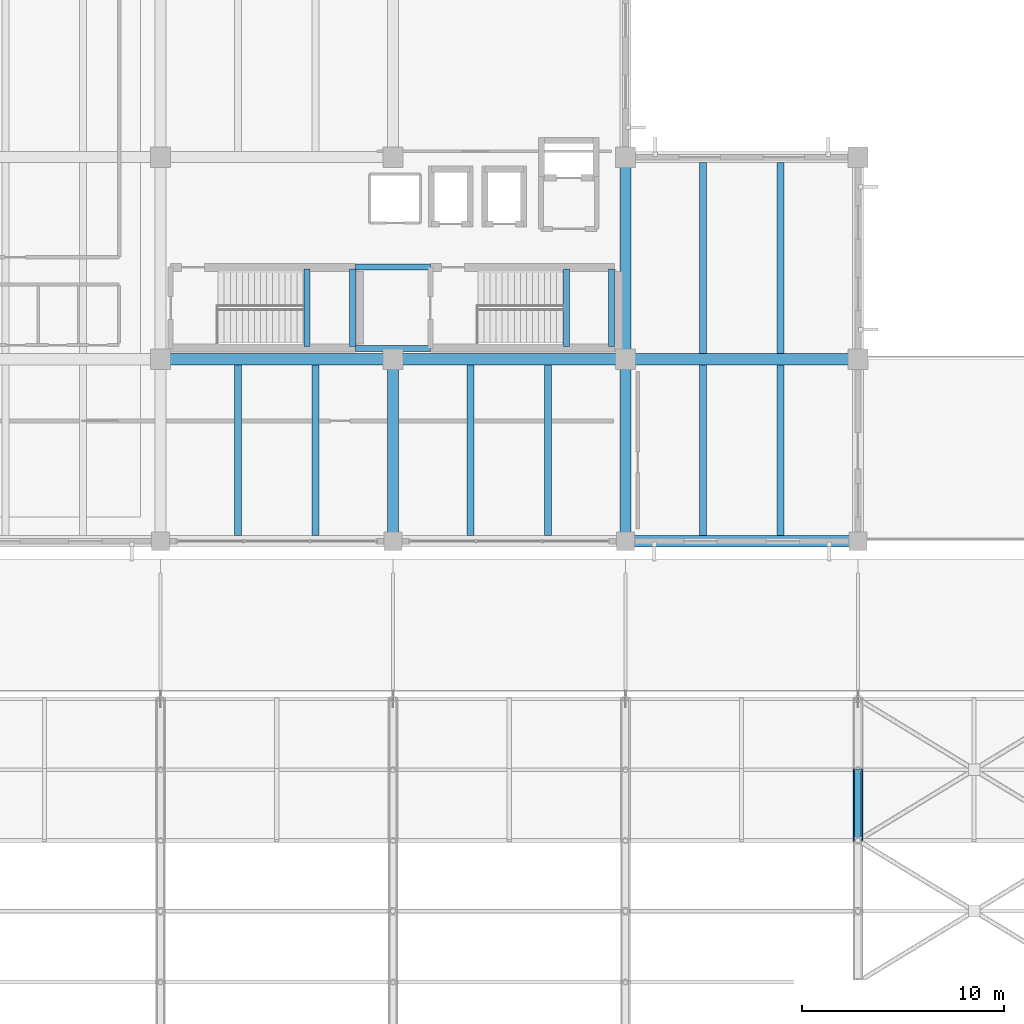
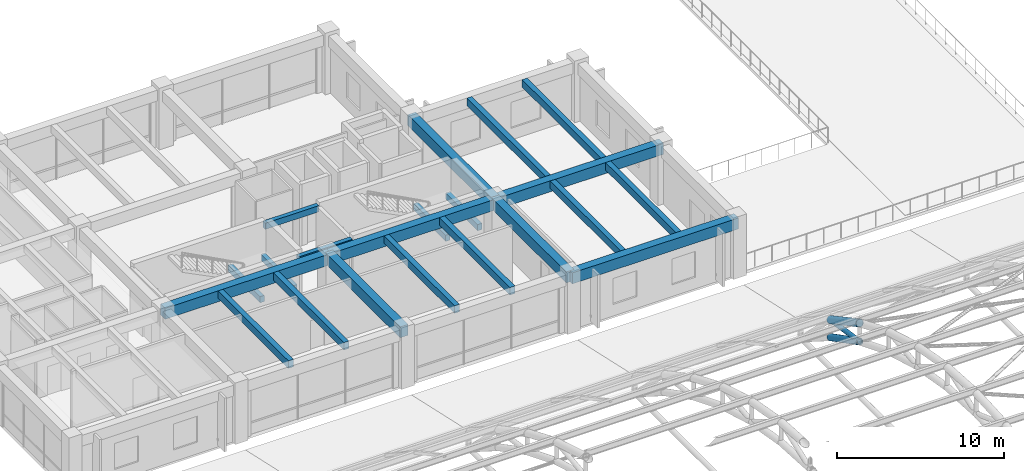
# One storey, part 116 of 154: 21 beams, 3 members.
"""IFC4 building model written with IfcOpenShell, lengths in metres."""

from ifc_helpers import new_model, si_unit, direction, frame, origin, origin_2d, place, context, subcontext, project, spatial, rectangle, hollow_circle, extrude, material, material_profile, profile_set, type_object, element, save


model = new_model("IFC4")

# Units and contexts
model_context = context("Model", 3, precision=1e-05, world=origin(), true_north=direction((0.0, 1.0)))
body_context = subcontext(model_context, "Body", "Model", "MODEL_VIEW")
ifc_project = project(units=[si_unit("LENGTHUNIT", "METRE"), si_unit("AREAUNIT", "SQUARE_METRE"), si_unit("VOLUMEUNIT", "CUBIC_METRE"), si_unit("PLANEANGLEUNIT", "RADIAN"), si_unit("MASSUNIT", "GRAM", prefix="KILO")], contexts=[model_context])

# Site, building, storey
site_placement = place(None, origin())
site = spatial("IfcSite", under=ifc_project, at=site_placement, CompositionType="ELEMENT")
building_placement = place(site_placement, origin())
building = spatial("IfcBuilding", under=site, at=building_placement, Name="Ologun Quay Terminus", CompositionType="ELEMENT")
storey_placement = place(building_placement, frame((0.0, 0.0, 13.800048828125)))
storey = spatial("IfcBuildingStorey", under=building, at=storey_placement, Name="L03", CompositionType="ELEMENT", Elevation=13.800048828125)

# Member
ifc_material_1 = material(Name="Steel S355", Category="steel")
ifc_material_profile_1 = material_profile(ifc_material_1, hollow_circle(Radius=0.161865234375, WallThickness=0.010009765625, at=origin_2d()), Name="CHS 323.9x10")
ifc_profile_set_1 = profile_set([ifc_material_profile_1], Name="Steel S355")
member_type_1 = type_object("IfcMemberType", Name="Arch Truss Web Diagonal CHS323", PredefinedType="BRACE", material=ifc_profile_set_1)
member_1_placement = place(storey_placement, frame((161.0, 71.0, 4.022216796875), z_axis=(0.0, 0.988960627525, -0.148178531524), x_axis=(-1.0, 0.0, 0.0)))
element("IfcMember", 1, at=member_1_placement, inside=storey, type_object=member_type_1, Name="AW1 Arch Web Diagonal 15-P11", PredefinedType="BRACE", context=body_context, shape_type="SweptSolid", body=[
    extrude(hollow_circle(Radius=0.161865234375, WallThickness=0.010009765625, at=origin_2d()), origin(), (0.0, 0.0, 1.0), 3.5390625),
])

# Beams
ifc_material_2 = material(Name="Concrete C40/50", Category="concrete")
ifc_material_profile_2 = material_profile(ifc_material_2, rectangle(XDim=0.300048828125, YDim=0.449951171875, at=origin_2d()), Name="RC 300x450")
ifc_profile_set_2 = profile_set([ifc_material_profile_2], Name="Concrete C40/50")
beam_type_1 = type_object("IfcBeamType", Name="Core Coupling Lintel Beam 300x450", PredefinedType="LINTEL", material=ifc_profile_set_2)
for number, where, z_axis, x_axis, name in (
    (2, (136.14990234375, 95.324951171875, 4.02490234375), (1.0, 0.0, 0.0), (0.0, 1.0, 0.0), "LN1 Beam 13/H L03"),
    (3, (136.14990234375, 99.375, 4.02490234375), (1.0, 0.0, 0.0), (0.0, 1.0, 0.0), "LN1 Beam 13/H L03"),
):
    element("IfcBeam", number, at=place(storey_placement, frame(where, z_axis=z_axis, x_axis=x_axis)), inside=storey, type_object=beam_type_1, Name=name, PredefinedType="LINTEL", context=body_context, shape_type="SweptSolid", body=[
        extrude(rectangle(XDim=0.300048828125, YDim=0.449951171875, at=origin_2d()), origin(), (0.0, 0.0, 1.0), 3.7001953125),
    ])
for number, where, z_axis, x_axis, name in (
    (4, (133.739990234375, 95.429931640625, 1.844970703125), (0.0, 1.0, 0.0), (-1.0, 0.0, 0.0), "LN1 Half-Landing Ledger Beam ST-E1-W L03"),
    (5, (136.010009765625, 95.429931640625, 1.844970703125), (0.0, 1.0, 0.0), (-1.0, 0.0, 0.0), "LN1 Half-Landing Ledger Beam ST-E1-E L03"),
    (6, (146.590087890625, 95.429931640625, 1.844970703125), (0.0, 1.0, 0.0), (-1.0, 0.0, 0.0), "LN1 Half-Landing Ledger Beam ST-E2-W L03"),
    (7, (148.81005859375, 95.429931640625, 1.844970703125), (0.0, 1.0, 0.0), (-1.0, 0.0, 0.0), "LN1 Half-Landing Ledger Beam ST-E2-E L03"),
):
    element("IfcBeam", number, at=place(storey_placement, frame(where, z_axis=z_axis, x_axis=x_axis)), inside=storey, type_object=beam_type_1, Name=name, PredefinedType="LINTEL", context=body_context, shape_type="SweptSolid", body=[
        extrude(rectangle(XDim=0.300048828125, YDim=0.449951171875, at=origin_2d()), origin(), (0.0, 0.0, 1.0), 3.840087890625),
    ])
ifc_material_3 = material(Name="Concrete C40/50", Category="concrete")
ifc_material_profile_3 = material_profile(ifc_material_3, rectangle(XDim=0.550048828125, YDim=0.800048828125, at=origin_2d()), Name="RC 550x800")
ifc_profile_set_3 = profile_set([ifc_material_profile_3], Name="Concrete C40/50")
beam_type_2 = type_object("IfcBeamType", Name="Courtyard Wing Primary Girder 550x800", PredefinedType="BEAM", material=ifc_profile_set_3)
for number, where, z_axis, x_axis, name in (
    (8, (149.5, 85.800048828125, 3.849853515625), (1.0, 0.0, 0.0), (0.0, 1.0, 0.0), "B4 Beam 14/G2 L03"),
    (9, (126.5, 94.800048828125, 3.849853515625), (1.0, 0.0, 0.0), (0.0, 1.0, 0.0), "B4 Beam 12/H L03"),
    (10, (138.0, 94.800048828125, 3.849853515625), (1.0, 0.0, 0.0), (0.0, 1.0, 0.0), "B4 Beam 13/H L03"),
    (11, (149.5, 94.800048828125, 3.849853515625), (1.0, 0.0, 0.0), (0.0, 1.0, 0.0), "B4 Beam 14/H L03"),
):
    element("IfcBeam", number, at=place(storey_placement, frame(where, z_axis=z_axis, x_axis=x_axis)), inside=storey, type_object=beam_type_2, Name=name, PredefinedType="BEAM", context=body_context, shape_type="SweptSolid", body=[
        extrude(rectangle(XDim=0.550048828125, YDim=0.800048828125, at=origin_2d()), origin(), (0.0, 0.0, 1.0), 11.5),
    ])
for number, where, z_axis, x_axis, name in (
    (12, (138.0, 85.800048828125, 3.849853515625), (0.0, 1.0, 0.0), (-1.0, 0.0, 0.0), "B4 Beam 13/G2 L03"),
    (13, (149.5, 85.800048828125, 3.849853515625), (0.0, 1.0, 0.0), (-1.0, 0.0, 0.0), "B4 Beam 14/G2 L03"),
):
    element("IfcBeam", number, at=place(storey_placement, frame(where, z_axis=z_axis, x_axis=x_axis)), inside=storey, type_object=beam_type_2, Name=name, PredefinedType="BEAM", context=body_context, shape_type="SweptSolid", body=[
        extrude(rectangle(XDim=0.550048828125, YDim=0.800048828125, at=origin_2d()), origin(), (0.0, 0.0, 1.0), 9.0),
    ])
beam_placement = place(storey_placement, frame((149.5, 94.800048828125, 3.849853515625), z_axis=(0.0, 1.0, 0.0), x_axis=(-1.0, 0.0, 0.0)))
element("IfcBeam", 14, at=beam_placement, inside=storey, type_object=beam_type_2, Name="B4 Beam 14/H L03", PredefinedType="BEAM", context=body_context, shape_type="SweptSolid", body=[
    extrude(rectangle(XDim=0.550048828125, YDim=0.800048828125, at=origin_2d()), origin(), (0.0, 0.0, 1.0), 10.0),
])
ifc_material_4 = material(Name="Concrete C40/50", Category="concrete")
ifc_material_profile_4 = material_profile(ifc_material_4, rectangle(XDim=0.35009765625, YDim=0.550048828125, at=origin_2d()), Name="RC 350x550")
ifc_profile_set_4 = profile_set([ifc_material_profile_4], Name="Concrete C40/50")
beam_type_3 = type_object("IfcBeamType", Name="Courtyard Wing Secondary Joist 350x550", PredefinedType="JOIST", material=ifc_profile_set_4)
for number, where, z_axis, x_axis, name in (
    (15, (130.333251953125, 86.074951171875, 3.974853515625), (0.0, 1.0, 0.0), (-1.0, 0.0, 0.0), "J2 Beam 12/G2 L03"),
    (16, (134.166748046875, 86.074951171875, 3.974853515625), (0.0, 1.0, 0.0), (-1.0, 0.0, 0.0), "J2 Beam 12/G2 L03"),
    (17, (141.833251953125, 86.074951171875, 3.974853515625), (0.0, 1.0, 0.0), (-1.0, 0.0, 0.0), "J2 Beam 13/G2 L03"),
    (18, (145.666748046875, 86.074951171875, 3.974853515625), (0.0, 1.0, 0.0), (-1.0, 0.0, 0.0), "J2 Beam 13/G2 L03"),
    (19, (153.333251953125, 86.074951171875, 3.974853515625), (0.0, 1.0, 0.0), (-1.0, 0.0, 0.0), "J2 Beam 14/G2 L03"),
    (20, (157.166748046875, 86.074951171875, 3.974853515625), (0.0, 1.0, 0.0), (-1.0, 0.0, 0.0), "J2 Beam 14/G2 L03"),
):
    element("IfcBeam", number, at=place(storey_placement, frame(where, z_axis=z_axis, x_axis=x_axis)), inside=storey, type_object=beam_type_3, Name=name, PredefinedType="JOIST", context=body_context, shape_type="SweptSolid", body=[
        extrude(rectangle(XDim=0.35009765625, YDim=0.550048828125, at=origin_2d()), origin(), (0.0, 0.0, 1.0), 8.449951171875),
    ])
for number, where, z_axis, x_axis, name in (
    (21, (153.333251953125, 95.074951171875, 3.974853515625), (0.0, 1.0, 0.0), (-1.0, 0.0, 0.0), "J2 Beam 14/H L03"),
    (22, (157.166748046875, 95.074951171875, 3.974853515625), (0.0, 1.0, 0.0), (-1.0, 0.0, 0.0), "J2 Beam 14/H L03"),
):
    element("IfcBeam", number, at=place(storey_placement, frame(where, z_axis=z_axis, x_axis=x_axis)), inside=storey, type_object=beam_type_3, Name=name, PredefinedType="JOIST", context=body_context, shape_type="SweptSolid", body=[
        extrude(rectangle(XDim=0.35009765625, YDim=0.550048828125, at=origin_2d()), origin(), (0.0, 0.0, 1.0), 9.449951171875),
    ])

# Members
ifc_material_5 = material(Name="Steel S355", Category="steel")
ifc_material_profile_5 = material_profile(ifc_material_5, hollow_circle(Radius=0.228515625, WallThickness=0.01611328125, at=origin_2d()), Name="CHS 457x16")
ifc_profile_set_5 = profile_set([ifc_material_profile_5], Name="Steel S355")
member_type_2 = type_object("IfcMemberType", Name="Parabolic Arch Bottom Chord CHS457", PredefinedType="CHORD", material=ifc_profile_set_5)
member_2_placement = place(storey_placement, frame((161.0, 71.0, 4.022216796875), z_axis=(0.0, 0.888247284083, -0.459365608551), x_axis=(-1.0, 0.0, 0.0)))
element("IfcMember", 23, at=member_2_placement, inside=storey, type_object=member_type_2, Name="AC2 Arch Bottom Chord 15-P11", PredefinedType="CHORD", context=body_context, shape_type="SweptSolid", body=[
    extrude(hollow_circle(Radius=0.228515625, WallThickness=0.01611328125, at=origin_2d()), origin(), (0.0, 0.0, 1.0), 3.9404296875),
])
ifc_material_6 = material(Name="Steel S355", Category="steel")
ifc_material_profile_6 = material_profile(ifc_material_6, hollow_circle(Radius=0.25390625, WallThickness=0.01611328125, at=origin_2d()), Name="CHS 508x16")
ifc_profile_set_6 = profile_set([ifc_material_profile_6], Name="Steel S355")
member_type_3 = type_object("IfcMemberType", Name="Parabolic Arch Top Chord CHS508", PredefinedType="CHORD", material=ifc_profile_set_6)
member_3_placement = place(storey_placement, frame((161.0, 71.0, 5.377685546875), z_axis=(0.0, 0.880967864924, -0.473176099324), x_axis=(-1.0, 0.0, 0.0)))
element("IfcMember", 24, at=member_3_placement, inside=storey, type_object=member_type_3, Name="Arch Top Chord 15-P11", PredefinedType="CHORD", context=body_context, shape_type="SweptSolid", body=[
    extrude(hollow_circle(Radius=0.25390625, WallThickness=0.01611328125, at=origin_2d()), origin(), (0.0, 0.0, 1.0), 3.972900390625),
])

save(model, "model.ifc")
